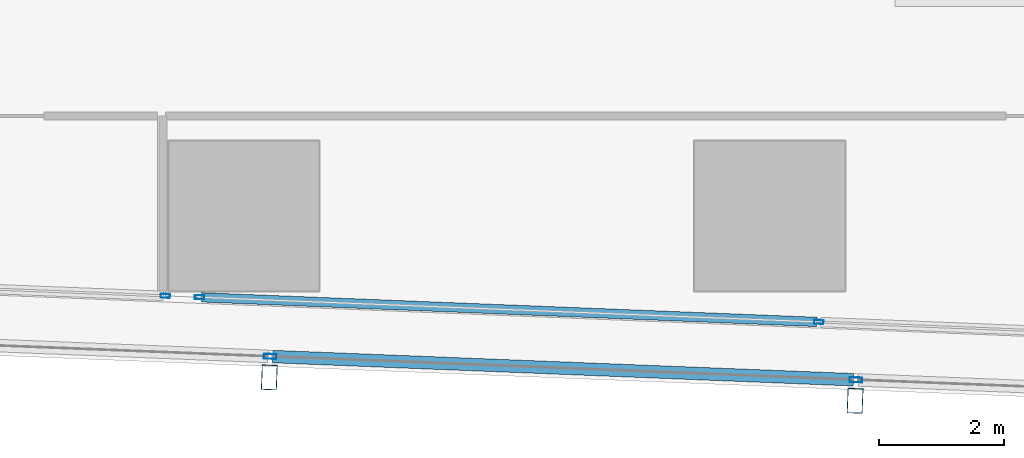
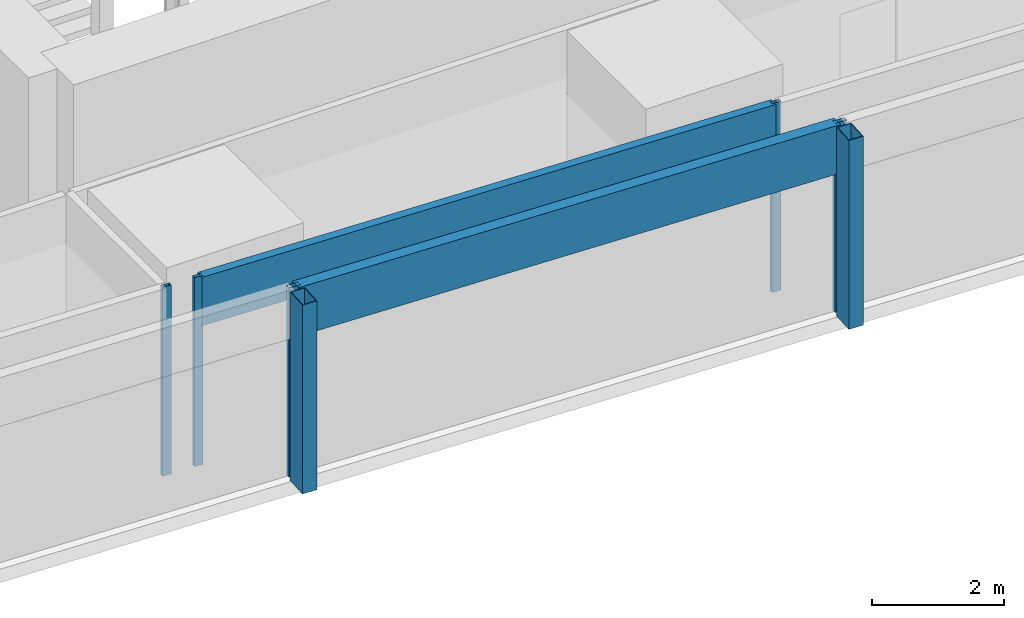
# One storey, part 5 of 37: 9 members, 3 elements without a shape of their own.
"""IFC4 building model written with IfcOpenShell, lengths in metres."""

from ifc_helpers import new_model, si_unit, direction, frame, origin, origin_2d, place, context, subcontext, project, spatial, hollow_rectangle, extrude, material, material_profile, profile_set, type_object, element, aggregate, save


model = new_model("IFC4")

# Units and contexts
model_context = context("Model", 3, precision=1e-05, world=origin(), true_north=direction((0.0, 1.0)))
body_context = subcontext(model_context, "Body", "Model", "MODEL_VIEW")
ifc_project = project(units=[si_unit("LENGTHUNIT", "METRE"), si_unit("AREAUNIT", "SQUARE_METRE"), si_unit("VOLUMEUNIT", "CUBIC_METRE"), si_unit("PLANEANGLEUNIT", "RADIAN"), si_unit("MASSUNIT", "GRAM", prefix="KILO")], contexts=[model_context])

# Site, building, storey
site_placement = place(None, origin())
site = spatial("IfcSite", under=ifc_project, at=site_placement, CompositionType="ELEMENT")
building_placement = place(site_placement, origin())
building = spatial("IfcBuilding", under=site, at=building_placement, Name="Rekha Terrace Tower", CompositionType="ELEMENT")
storey_placement = place(building_placement, frame((0.0, 0.0, 228.949951171875)))
storey = spatial("IfcBuildingStorey", under=building, at=storey_placement, Name="L58", CompositionType="ELEMENT", Elevation=228.949951171875)

# Curtain wall, members
ifc_material_1 = material(Name="Aluminium framing", Category="aluminium")
curtain_wall_type_1 = type_object("IfcCurtainWallType", Name="CW2 double skin outer glazing", PredefinedType="USERDEFINED", material=ifc_material_1)
curtain_wall_1_placement = place(storey_placement, origin())
curtain_wall_1 = element("IfcCurtainWall", 1, at=curtain_wall_1_placement, inside=storey, type_object=curtain_wall_type_1, Name="CW2 double skin outer glazing", ObjectType="DOUBLE SKIN OUTER GLAZING", PredefinedType="USERDEFINED")
ifc_material_2 = material(Name="Steel S355 with fluorocarbon finish", Category="steel")
ifc_material_profile_1 = material_profile(ifc_material_2, hollow_rectangle(XDim=0.25, YDim=0.39990234375, WallThickness=0.012451171875, at=origin_2d()), Name="RHS400x250x12.5")
ifc_profile_set_1 = profile_set([ifc_material_profile_1], Name="Steel S355 with fluorocarbon finish")
member_type_1 = type_object("IfcMemberType", Name="BL1 facade blade RHS 400 x 250", PredefinedType="USERDEFINED", material=ifc_profile_set_1)
member_1_placement = place(storey_placement, frame((25.60498046875, 14.222412109375, 0.0), z_axis=(0.0, 0.0, 1.0), x_axis=(0.999204797763, -0.039871946621, 0.0)))
member_1 = element("IfcMember", 2, at=member_1_placement, type_object=member_type_1, Name="Facade blade", ObjectType="FACADE BLADE", PredefinedType="USERDEFINED", context=body_context, shape_type="SweptSolid", body=[
    extrude(hollow_rectangle(XDim=0.25, YDim=0.39990234375, WallThickness=0.012451171875, at=origin_2d()), origin(), (0.0, 0.0, 1.0), 3.5),
])
member_2_placement = place(storey_placement, frame((34.9638671875, 13.84912109375, 0.0), z_axis=(0.0, 0.0, 1.0), x_axis=(0.999204797763, -0.039871946621, 0.0)))
member_2 = element("IfcMember", 3, at=member_2_placement, type_object=member_type_1, Name="Facade blade", ObjectType="FACADE BLADE", PredefinedType="USERDEFINED", context=body_context, shape_type="SweptSolid", body=[
    extrude(hollow_rectangle(XDim=0.25, YDim=0.39990234375, WallThickness=0.012451171875, at=origin_2d()), origin(), (0.0, 0.0, 1.0), 3.5),
])

# Curtain wall, member
curtain_wall_type_2 = type_object("IfcCurtainWallType", Name="CW1 double skin inner glazing", PredefinedType="USERDEFINED", material=ifc_material_1)
curtain_wall_2_placement = place(storey_placement, origin())
curtain_wall_2 = element("IfcCurtainWall", 4, at=curtain_wall_2_placement, inside=storey, type_object=curtain_wall_type_2, Name="CW1 double skin inner glazing", ObjectType="DOUBLE SKIN INNER GLAZING", PredefinedType="USERDEFINED")
ifc_material_3 = material(Name="Aluminium mullion section", Category="aluminium")
ifc_material_profile_2 = material_profile(ifc_material_3, hollow_rectangle(XDim=0.06494140625, YDim=0.14990234375, WallThickness=0.00390625, at=origin_2d()), Name="AL RHS 65x150")
ifc_profile_set_2 = profile_set([ifc_material_profile_2], Name="Aluminium mullion section")
member_type_2 = type_object("IfcMemberType", Name="CW1 mullion RHS 65 x 150", PredefinedType="MULLION", material=ifc_profile_set_2)
member_3_placement = place(storey_placement, frame((23.94384765625, 15.524658203125, 0.0), z_axis=(0.0, 0.0, 1.0), x_axis=(0.039872497078, 0.999204775798, 0.0)))
member_3 = element("IfcMember", 5, at=member_3_placement, type_object=member_type_2, Name="CW1 mullion 2", PredefinedType="MULLION", context=body_context, shape_type="SweptSolid", body=[
    extrude(hollow_rectangle(XDim=0.06494140625, YDim=0.14990234375, WallThickness=0.00390625, at=origin_2d()), origin(), (0.0, 0.0, 1.0), 3.5),
])
aggregate(curtain_wall_2, [member_3])

# Curtain wall, members
curtain_wall_3_placement = place(storey_placement, origin())
curtain_wall_3 = element("IfcCurtainWall", 6, at=curtain_wall_3_placement, inside=storey, type_object=curtain_wall_type_2, Name="CW1 double skin inner glazing", ObjectType="DOUBLE SKIN INNER GLAZING", PredefinedType="USERDEFINED")
member_4_placement = place(storey_placement, frame((24.489013671875, 15.5029296875, 0.0), z_axis=(0.0, 0.0, 1.0), x_axis=(0.039872497044, 0.999204775799, 0.0)))
member_4 = element("IfcMember", 7, at=member_4_placement, type_object=member_type_2, Name="CW1 mullion 1", PredefinedType="MULLION", context=body_context, shape_type="SweptSolid", body=[
    extrude(hollow_rectangle(XDim=0.06494140625, YDim=0.14990234375, WallThickness=0.00390625, at=origin_2d()), origin(), (0.0, 0.0, 1.0), 3.5),
])
member_5_placement = place(storey_placement, frame((34.38427734375, 15.108154296875, 0.0), z_axis=(0.0, 0.0, 1.0), x_axis=(0.039872497044, 0.999204775799, 0.0)))
member_5 = element("IfcMember", 8, at=member_5_placement, type_object=member_type_2, Name="CW1 mullion 2", PredefinedType="MULLION", context=body_context, shape_type="SweptSolid", body=[
    extrude(hollow_rectangle(XDim=0.06494140625, YDim=0.14990234375, WallThickness=0.00390625, at=origin_2d()), origin(), (0.0, 0.0, 1.0), 3.5),
])
ifc_material_4 = material(Name="Insulated aluminium spandrel box", Category="aluminium")
ifc_material_profile_3 = material_profile(ifc_material_4, hollow_rectangle(XDim=0.14990234375, YDim=0.89990234375, WallThickness=0.0029296875, at=origin_2d()), Name="AL SPANDREL BOX 150x900")
ifc_profile_set_3 = profile_set([ifc_material_profile_3], Name="Insulated aluminium spandrel box")
member_type_3 = type_object("IfcMemberType", Name="CW1 spandrel transom 150 x 900", PredefinedType="USERDEFINED", material=ifc_profile_set_3)
member_6_placement = place(storey_placement, frame((24.521484375, 15.501708984375, 3.050048828125), z_axis=(0.999204522495, -0.039878844347, 0.0), x_axis=(0.039878844347, 0.999204522495, 0.0)))
member_6 = element("IfcMember", 9, at=member_6_placement, type_object=member_type_3, Name="CW1 spandrel transom 1", ObjectType="TRANSOM", PredefinedType="USERDEFINED", context=body_context, shape_type="SweptSolid", body=[
    extrude(hollow_rectangle(XDim=0.14990234375, YDim=0.89990234375, WallThickness=0.0029296875, at=origin_2d()), origin(), (0.0, 0.0, 1.0), 9.838134765625),
])
aggregate(curtain_wall_3, [member_4, member_5, member_6])

# Member
ifc_material_profile_4 = material_profile(ifc_material_3, hollow_rectangle(XDim=0.080078125, YDim=0.199951171875, WallThickness=0.00390625, at=origin_2d()), Name="AL RHS 80x200")
ifc_profile_set_4 = profile_set([ifc_material_profile_4], Name="Aluminium mullion section")
member_type_4 = type_object("IfcMemberType", Name="CW2 mullion RHS 80 x 200", PredefinedType="MULLION", material=ifc_profile_set_4)
member_7_placement = place(storey_placement, frame((25.618408203125, 14.55712890625, 0.0), z_axis=(0.0, 0.0, 1.0), x_axis=(0.039872497044, 0.999204775799, 0.0)))
member_7 = element("IfcMember", 10, at=member_7_placement, type_object=member_type_4, Name="CW2 mullion 3", PredefinedType="MULLION", context=body_context, shape_type="SweptSolid", body=[
    extrude(hollow_rectangle(XDim=0.080078125, YDim=0.199951171875, WallThickness=0.00390625, at=origin_2d()), origin(), (0.0, 0.0, 1.0), 3.5),
])

member_8_placement = place(storey_placement, frame((34.97705078125, 14.183837890625, 0.0), z_axis=(0.0, 0.0, 1.0), x_axis=(0.039872497044, 0.999204775799, 0.0)))
member_8 = element("IfcMember", 11, at=member_8_placement, type_object=member_type_4, Name="CW2 mullion 4", PredefinedType="MULLION", context=body_context, shape_type="SweptSolid", body=[
    extrude(hollow_rectangle(XDim=0.080078125, YDim=0.199951171875, WallThickness=0.00390625, at=origin_2d()), origin(), (0.0, 0.0, 1.0), 3.5),
])

ifc_material_profile_5 = material_profile(ifc_material_4, hollow_rectangle(XDim=0.199951171875, YDim=0.89990234375, WallThickness=0.0029296875, at=origin_2d()), Name="AL SPANDREL BOX 200x900")
ifc_profile_set_5 = profile_set([ifc_material_profile_5], Name="Insulated aluminium spandrel box")
member_type_5 = type_object("IfcMemberType", Name="CW2 spandrel transom 200 x 900", PredefinedType="USERDEFINED", material=ifc_profile_set_5)
member_9_placement = place(storey_placement, frame((25.658447265625, 14.5556640625, 3.050048828125), z_axis=(0.999204356934, -0.039882992408, 0.0), x_axis=(0.039882992408, 0.999204356934, 0.0)))
member_9 = element("IfcMember", 12, at=member_9_placement, type_object=member_type_5, Name="CW2 spandrel transom 3", ObjectType="TRANSOM", PredefinedType="USERDEFINED", context=body_context, shape_type="SweptSolid", body=[
    extrude(hollow_rectangle(XDim=0.199951171875, YDim=0.89990234375, WallThickness=0.0029296875, at=origin_2d()), origin(), (0.0, 0.0, 1.0), 9.2861328125),
])

aggregate(curtain_wall_1, [member_7, member_8, member_9, member_1, member_2])

save(model, "model.ifc")
